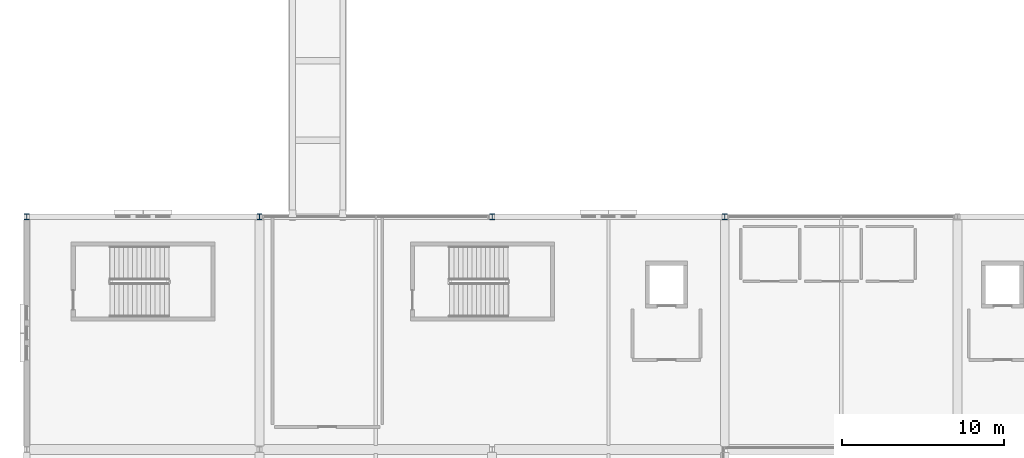
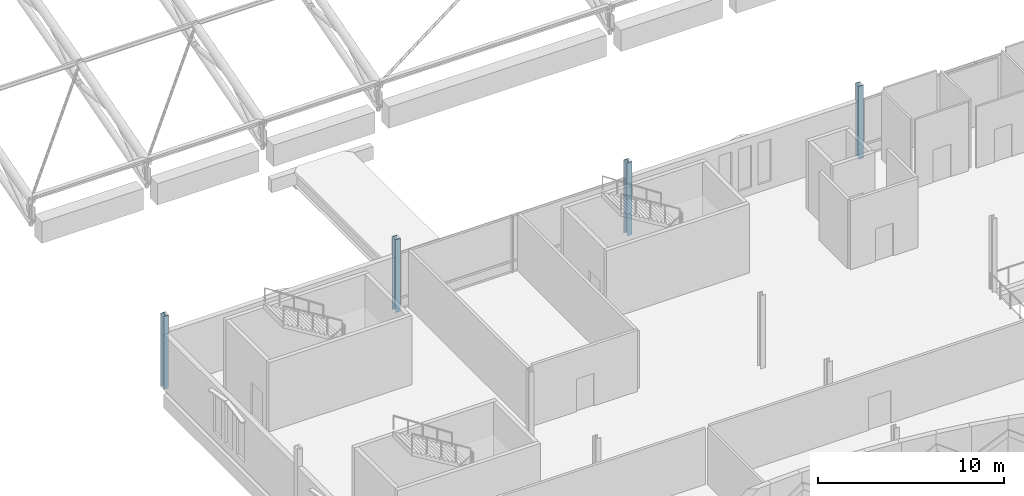
# One storey, part 3 of 193: 4 columns.
"""IFC4 building model written with IfcOpenShell, lengths in metres."""

from ifc_helpers import new_model, si_unit, direction, frame, origin, origin_2d, place, context, subcontext, project, spatial, i_section, extrude, material, material_profile, profile_set, type_object, element, save


model = new_model("IFC4")

# Units and contexts
model_context = context("Model", 3, precision=1e-05, world=origin(), true_north=direction((0.0, 1.0)))
body_context = subcontext(model_context, "Body", "Model", "MODEL_VIEW")
ifc_project = project(units=[si_unit("LENGTHUNIT", "METRE"), si_unit("AREAUNIT", "SQUARE_METRE"), si_unit("VOLUMEUNIT", "CUBIC_METRE"), si_unit("PLANEANGLEUNIT", "RADIAN"), si_unit("MASSUNIT", "GRAM", prefix="KILO")], contexts=[model_context])

# Site, building, storey
site_placement = place(None, origin())
site = spatial("IfcSite", under=ifc_project, at=site_placement, CompositionType="ELEMENT")
building_placement = place(site_placement, origin())
building = spatial("IfcBuilding", under=site, at=building_placement, Name="Cendralis Lancet Convention Centre", CompositionType="ELEMENT")
storey_placement = place(building_placement, frame((0.0, 0.0, 10.199951171875)))
storey = spatial("IfcBuildingStorey", under=building, at=storey_placement, Name="L02", CompositionType="ELEMENT", Elevation=10.199951171875)

# Columns
ifc_material = material(Name="Steel S355", Category="steel")
ifc_material_profile = material_profile(ifc_material, i_section(OverallWidth=0.300048828125, OverallDepth=0.360107421875, WebThickness=0.012451171875, FlangeThickness=0.0224609375, FilletRadius=0.027099609375, at=origin_2d()), Name="HEB 360")
ifc_profile_set = profile_set([ifc_material_profile], Name="Steel S355")
column_type = type_object("IfcColumnType", Name="STR-COL-C26", PredefinedType="COLUMN", material=ifc_profile_set)
for number, where, z_axis, x_axis, name in (
    (1, (0.0, 36.0, 0.0), (0.0, 0.0, 1.0), (1.0, 0.0, 0.0), "L02 Column C26 at 0.0,36.0"),
    (2, (14.39990234375, 36.0, 0.0), (0.0, 0.0, 1.0), (1.0, 0.0, 0.0), "L02 Column C26 at 14.4,36.0"),
    (3, (28.800048828125, 36.0, 0.0), (0.0, 0.0, 1.0), (1.0, 0.0, 0.0), "L02 Column C26 at 28.8,36.0"),
    (4, (43.199951171875, 36.0, 0.0), (0.0, 0.0, 1.0), (1.0, 0.0, 0.0), "L02 Column C26 at 43.2,36.0"),
):
    element("IfcColumn", number, at=place(storey_placement, frame(where, z_axis=z_axis, x_axis=x_axis)), inside=storey, type_object=column_type, Name=name, PredefinedType="COLUMN", context=body_context, shape_type="SweptSolid", body=[
        extrude(i_section(OverallWidth=0.300048828125, OverallDepth=0.360107421875, WebThickness=0.012451171875, FlangeThickness=0.0224609375, FilletRadius=0.027099609375, at=origin_2d()), origin(), (0.0, 0.0, 1.0), 4.800048828125),
    ])

save(model, "model.ifc")
